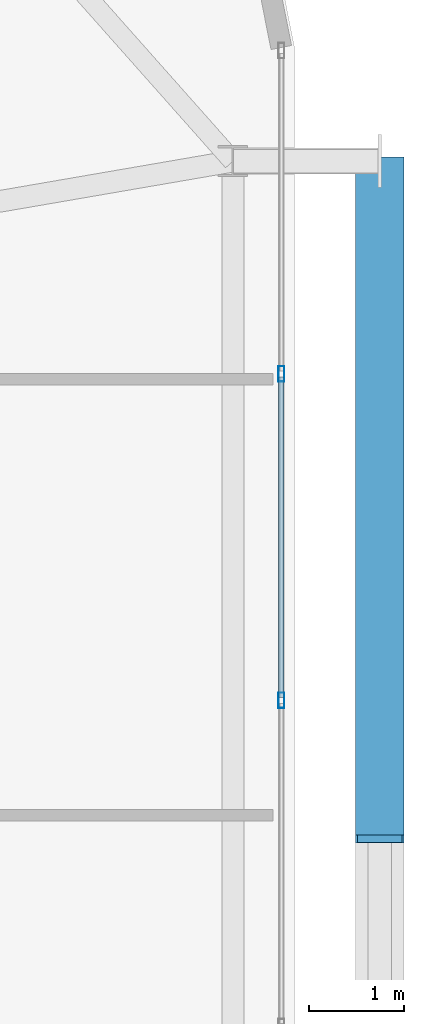
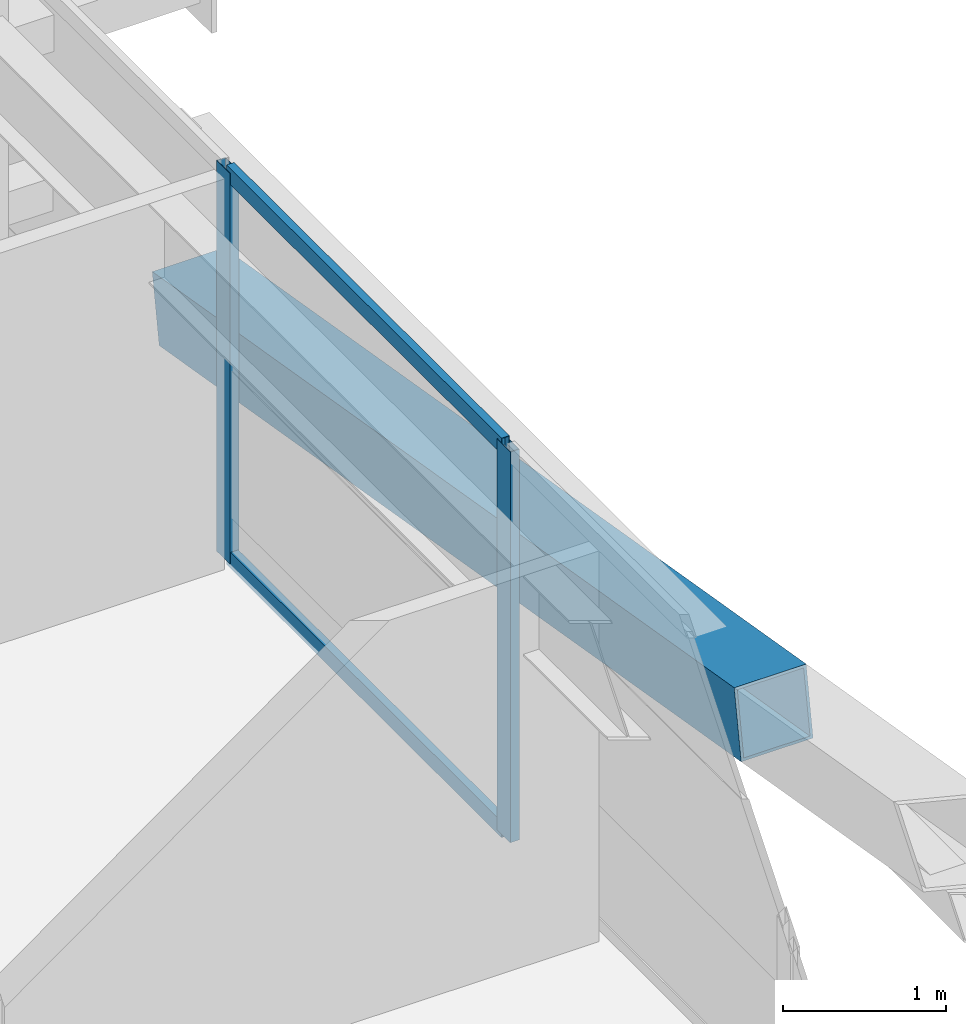
# One storey, part 32 of 58: 5 members, 1 element without a shape of its own.
"""IFC4 building model written with IfcOpenShell, lengths in metres."""

import ifcopenshell
import ifcopenshell.guid

model = None  # the IFC model being written
_history = None  # IfcOwnerHistory: only IFC2X3 demands one
_inside = {}  # id of a spatial element -> (the spatial element, [elements in it])
_under = {}  # id of a project, library or spatial element -> (it, [spatial elements below it])
_declared = {}  # id of a project -> (the project, [libraries it declares])
_typed = {}  # id of a type object -> (the type object, [elements of that type])
_made_of = {}  # id of a material, layer set ... -> (it, [elements and type objects made of it])


def new_model(schema):
    """Start an empty IFC model of exactly this schema.

    Asked for "IFC4X3", IfcOpenShell would pick the latest addendum, in which some entities
    have other attributes; the version numbers below select the first issue.
    IFC2X3 requires an IfcOwnerHistory on every rooted entity: one is made here for all.
    """
    global model, _history
    if schema == "IFC4X3":
        model = ifcopenshell.file(schema_version=(4, 3, 0, 0))
    else:
        model = ifcopenshell.file(schema=schema)
    _inside.clear()
    _under.clear()
    _declared.clear()
    _typed.clear()
    _made_of.clear()
    _history = None
    if model.schema == "IFC2X3":
        org = make("IfcOrganization", Name="unknown")
        user = make(
            "IfcPersonAndOrganization",
            ThePerson=make("IfcPerson", FamilyName="unknown"),
            TheOrganization=org,
        )
        app = make(
            "IfcApplication",
            ApplicationDeveloper=org,
            Version="unknown",
            ApplicationFullName="unknown",
            ApplicationIdentifier="unknown",
        )
        _history = make(
            "IfcOwnerHistory",
            OwningUser=user,
            OwningApplication=app,
            ChangeAction="ADDED",
            CreationDate=0,
        )
    return model


def make(cls, **values):
    """One entity of the class cls with the attributes given. An attribute that is None is left unset."""
    return model.create_entity(
        cls, **{name: value for name, value in values.items() if value is not None}
    )


def rooted(cls, **values):
    """An entity with a GlobalId (a new one), such as an element, a storey or a relation."""
    return make(cls, GlobalId=ifcopenshell.guid.new(), OwnerHistory=_history, **values)


def si_unit(unit_type, name, prefix=None):
    """IfcSIUnit, for example si_unit("LENGTHUNIT", "METRE", prefix="MILLI")."""
    return make("IfcSIUnit", UnitType=unit_type, Prefix=prefix, Name=name)


def assignment(units):
    """IfcUnitAssignment: the units of a project."""
    return None if units is None else make("IfcUnitAssignment", Units=units)


def point(xyz):
    """IfcCartesianPoint."""
    return None if xyz is None else make("IfcCartesianPoint", Coordinates=xyz)


def direction(xyz):
    """IfcDirection."""
    return None if xyz is None else make("IfcDirection", DirectionRatios=xyz)


def frame(location, z_axis=None, x_axis=None):
    """IfcAxis2Placement3D, a coordinate frame: its origin and axes. An axis left out is left unset."""
    return make(
        "IfcAxis2Placement3D",
        Location=point(location),
        Axis=direction(z_axis),
        RefDirection=direction(x_axis),
    )


def frame_2d(location, x_axis=None):
    """IfcAxis2Placement2D, a coordinate frame in the plane: its origin and x axis."""
    return make(
        "IfcAxis2Placement2D", Location=point(location), RefDirection=direction(x_axis)
    )


def origin():
    """The frame at (0, 0, 0) with its axes left unset."""
    return frame((0.0, 0.0, 0.0))


def origin_2d():
    """The frame at (0, 0) in the plane with its x axis left unset."""
    return frame_2d((0.0, 0.0))


def place(relative_to, where):
    """IfcLocalPlacement: puts the frame where relative to a parent placement (None: the world)."""
    return make(
        "IfcLocalPlacement", PlacementRelTo=relative_to, RelativePlacement=where
    )


def context(
    kind, dimensions, precision=None, world=None, true_north=None, identifier=None
):
    """IfcGeometricRepresentationContext, for example the 3D "Model" context."""
    return make(
        "IfcGeometricRepresentationContext",
        ContextIdentifier=identifier,
        ContextType=kind,
        CoordinateSpaceDimension=dimensions,
        Precision=precision,
        WorldCoordinateSystem=world,
        TrueNorth=true_north,
    )


def subcontext(parent, identifier, kind, view, scale=None):
    """IfcGeometricRepresentationSubContext, for example "Body" below "Model"."""
    return make(
        "IfcGeometricRepresentationSubContext",
        ContextIdentifier=identifier,
        ContextType=kind,
        ParentContext=parent,
        TargetScale=scale,
        TargetView=view,
    )


def project(units=None, contexts=None):
    """IfcProject with its units and contexts."""
    return rooted(
        "IfcProject",
        Name="project",
        RepresentationContexts=contexts,
        UnitsInContext=assignment(units),
    )


def spatial(cls, under=None, at=None, **own):
    """A site, building, storey or space (cls), placed at a placement, below another one or the project."""
    s = rooted(cls, ObjectPlacement=at, **own)
    if under is not None:
        _under.setdefault(under.id(), (under, []))[1].append(s)
    return s


def profile(cls, at=None, kind="AREA", **sizes):
    """A parametric profile (cls). Its sizes go by their IFC names, for example OverallWidth=200.0."""
    return make(cls, ProfileType=kind, Position=at, **sizes)


def hollow_rectangle(**sizes):
    """IfcRectangleHollowProfileDef."""
    return profile("IfcRectangleHollowProfileDef", **sizes)


def extrude(swept, where, along, depth):
    """IfcExtrudedAreaSolid: the profile swept, set in the frame where, extruded along a direction by depth."""
    return make(
        "IfcExtrudedAreaSolid",
        SweptArea=swept,
        Position=where,
        ExtrudedDirection=direction(along),
        Depth=depth,
    )


def shape(context_of_items, identifier, shape_type, items):
    """IfcShapeRepresentation: the items that make up one representation, for example the "Body"."""
    return make(
        "IfcShapeRepresentation",
        ContextOfItems=context_of_items,
        RepresentationIdentifier=identifier,
        RepresentationType=shape_type,
        Items=items,
    )


def source(mapping_origin, context_of_items, identifier, shape_type, items):
    """IfcRepresentationMap: a shape defined once, which mapped items show again and again."""
    return make(
        "IfcRepresentationMap",
        MappingOrigin=mapping_origin,
        MappedRepresentation=shape(context_of_items, identifier, shape_type, items),
    )


def transform(
    local_origin,
    x_axis=None,
    y_axis=None,
    z_axis=None,
    scale=None,
    scale2=None,
    scale3=None,
    uniform=True,
):
    """IfcCartesianTransformationOperator3D, or its non-uniform kind. x_axis, y_axis, z_axis: its Axis1, 2, 3."""
    if uniform:
        return make(
            "IfcCartesianTransformationOperator3D",
            Axis1=direction(x_axis),
            Axis2=direction(y_axis),
            LocalOrigin=point(local_origin),
            Scale=scale,
            Axis3=direction(z_axis),
        )
    return make(
        "IfcCartesianTransformationOperator3DnonUniform",
        Axis1=direction(x_axis),
        Axis2=direction(y_axis),
        LocalOrigin=point(local_origin),
        Scale=scale,
        Axis3=direction(z_axis),
        Scale2=scale2,
        Scale3=scale3,
    )


def mapped(mapping_source, mapping_target):
    """IfcMappedItem: shows the shape of a source again, moved by a transform."""
    return make(
        "IfcMappedItem", MappingSource=mapping_source, MappingTarget=mapping_target
    )


def material(Name=None, Category=None):
    """IfcMaterial."""
    return make("IfcMaterial", Name=Name, Category=Category)


def layer(
    of_material, thickness, ventilated=None, Name=None, Category=None, Priority=None
):
    """IfcMaterialLayer: one layer of a wall or slab, of a material (None: an air gap)."""
    return make(
        "IfcMaterialLayer",
        Material=of_material,
        LayerThickness=thickness,
        IsVentilated=ventilated,
        Name=Name,
        Category=Category,
        Priority=Priority,
    )


def layer_set(layers, Name=None):
    """IfcMaterialLayerSet."""
    return make("IfcMaterialLayerSet", MaterialLayers=layers, LayerSetName=Name)


def material_profile(
    of_material, cross_section, Name=None, Category=None, Priority=None
):
    """IfcMaterialProfile: a cross section and its material."""
    return make(
        "IfcMaterialProfile",
        Name=Name,
        Material=of_material,
        Profile=cross_section,
        Priority=Priority,
        Category=Category,
    )


def profile_set(profiles, Name=None, composite=None):
    """IfcMaterialProfileSet."""
    return make(
        "IfcMaterialProfileSet",
        Name=Name,
        MaterialProfiles=profiles,
        CompositeProfile=composite,
    )


def made_of(thing, what):
    """Note that an element or type object is made of a material, layer set ...; save() writes the relation."""
    if what is not None:
        _made_of.setdefault(what.id(), (what, []))[1].append(thing)
    return thing


def type_object(cls, material=None, **own):
    """A type object (cls), such as IfcWallType, which elements share."""
    return made_of(rooted(cls, **own), material)


def element(
    cls,
    number,
    at=None,
    inside=None,
    cuts=None,
    type_object=None,
    material=None,
    context=None,
    identifier="Body",
    shape_type=None,
    held_by="IfcProductDefinitionShape",
    body=None,
    shapes=None,
    **own,
):
    """One element of the class cls, such as IfcWall. Its Tag is "e" and its number.

    at: its placement. inside: the storey or other place that contains it. cuts: it is an
    opening in that element (IfcRelVoidsElement). A single representation is given by context,
    identifier, shape_type and body (its items); several are given by shapes. held_by: the class
    of the entity that holds the representations. save() writes the other relations.
    """
    e = rooted(cls, Tag="e%d" % number, ObjectPlacement=at, **own)
    if body is not None:
        shapes = [shape(context, identifier, shape_type, body)]
    if shapes is not None:
        e.Representation = make(held_by, Representations=shapes)
    if inside is not None:
        _inside.setdefault(inside.id(), (inside, []))[1].append(e)
    if cuts is not None:
        rooted(
            "IfcRelVoidsElement", RelatingBuildingElement=cuts, RelatedOpeningElement=e
        )
    if type_object is not None:
        _typed.setdefault(type_object.id(), (type_object, []))[1].append(e)
    return made_of(e, material)


def aggregate(whole, parts):
    """IfcRelAggregates: a whole, such as a stair, and the parts it consists of."""
    return rooted("IfcRelAggregates", RelatingObject=whole, RelatedObjects=parts)


def save(model, path):
    """Write the relations noted so far, then the file.

    IfcRelAggregates (storeys below a building ...), IfcRelContainedInSpatialStructure (elements
    in a storey), IfcRelDefinesByType, IfcRelAssociatesMaterial and IfcRelDeclares: one each for
    every whole, place, type object, material and project.
    """
    for whole, parts in _under.values():
        aggregate(whole, parts)
    for where, things in _inside.values():
        rooted(
            "IfcRelContainedInSpatialStructure",
            RelatedElements=things,
            RelatingStructure=where,
        )
    for kind, things in _typed.values():
        rooted("IfcRelDefinesByType", RelatedObjects=things, RelatingType=kind)
    for what, things in _made_of.values():
        rooted("IfcRelAssociatesMaterial", RelatedObjects=things, RelatingMaterial=what)
    for by, libraries in _declared.values():
        rooted("IfcRelDeclares", RelatingContext=by, RelatedDefinitions=libraries)
    model.write(path)


model = new_model("IFC4")

# Units and contexts
model_context = context("Model", 3, precision=1e-05, world=origin(), true_north=direction((0.0, 1.0)))
body_context = subcontext(model_context, "Body", "Model", "MODEL_VIEW")
ifc_project = project(units=[si_unit("LENGTHUNIT", "METRE"), si_unit("AREAUNIT", "SQUARE_METRE"), si_unit("VOLUMEUNIT", "CUBIC_METRE"), si_unit("PLANEANGLEUNIT", "RADIAN"), si_unit("MASSUNIT", "GRAM", prefix="KILO")], contexts=[model_context])

# Site, building, storey
site_placement = place(None, origin())
site = spatial("IfcSite", under=ifc_project, at=site_placement, CompositionType="ELEMENT")
building_placement = place(site_placement, origin())
building = spatial("IfcBuilding", under=site, at=building_placement, Name="Taldren Reach Tower", CompositionType="ELEMENT")
storey_placement = place(building_placement, frame((0.0, 0.0, 54.60009765625)))
storey = spatial("IfcBuildingStorey", under=building, at=storey_placement, Name="L16", CompositionType="ELEMENT", Elevation=54.60009765625)

# Member
ifc_material_1 = material(Name="Steel Gr 450 (C450L0)", Category="steel")
ifc_material_profile_1 = material_profile(ifc_material_1, hollow_rectangle(XDim=0.510009765625, YDim=0.510009765625, WallThickness=0.02001953125, at=origin_2d()), Name="510x510x20.0SHS")
ifc_profile_set_1 = profile_set([ifc_material_profile_1], Name="Steel Gr 450 (C450L0)")
member_type_1 = type_object("IfcMemberType", Name="MB-EXO508", PredefinedType="BRACE", material=ifc_profile_set_1)
shared_shape_1 = source(origin(), body_context, "Body", "SweptSolid", [
    extrude(hollow_rectangle(XDim=0.510009765625, YDim=0.510009765625, WallThickness=0.02001953125, at=origin_2d()), origin(), (0.0, 0.0, 1.0), 7.252685546875),
])
member_1_placement = place(storey_placement, frame((65.89990234375, 34.300048828125, 0.219970703125), z_axis=(0.0, -0.985871360071, 0.167504213054), x_axis=(1.0, 0.0, 0.0)))
element("IfcMember", 1, at=member_1_placement, inside=storey, type_object=member_type_1, Name="Exoskeleton Diagrid Brace B1-E2 L16", PredefinedType="BRACE", context=body_context, shape_type="MappedRepresentation", body=[
    mapped(shared_shape_1, transform((0.0, 0.0, 0.0), scale=1.0)),
])

# Curtain wall, members
ifc_material_2 = material(Name="Aluminium and Low-E Glass Unitised System", Category="aluminium")
ifc_layer = layer(ifc_material_2, 0.159912109375)
ifc_layer_set = layer_set([ifc_layer], Name="Aluminium and Low-E Glass Unitised System")
curtain_wall_type = type_object("IfcCurtainWallType", Name="CW-SYS-2", PredefinedType="NOTDEFINED", material=ifc_layer_set)
curtain_wall_placement = place(storey_placement, origin())
curtain_wall = element("IfcCurtainWall", 2, at=curtain_wall_placement, inside=storey, type_object=curtain_wall_type, Name="Unitised curtain wall CW-L16-E", PredefinedType="NOTDEFINED")
ifc_material_3 = material(Name="Anodised Aluminium 6063-T6", Category="aluminium")
ifc_material_profile_2 = material_profile(ifc_material_3, hollow_rectangle(XDim=0.06494140625, YDim=0.1650390625, WallThickness=0.00390625, at=origin_2d()), Name="ALU-165x65x4RHS")
ifc_profile_set_2 = profile_set([ifc_material_profile_2], Name="Anodised Aluminium 6063-T6")
member_type_2 = type_object("IfcMemberType", Name="CW-MUL-165", PredefinedType="MULLION", material=ifc_profile_set_2)
shared_shape_2 = source(origin(), body_context, "Body", "SweptSolid", [
    extrude(hollow_rectangle(XDim=0.06494140625, YDim=0.1650390625, WallThickness=0.00390625, at=origin_2d()), origin(), (0.0, 0.0, 1.0), 2.929931640625),
])
member_2_placement = place(storey_placement, frame((64.860107421875, 28.611083984375, 0.0), z_axis=(0.0, 0.0, 1.0), x_axis=(-1.0, 0.0, 0.0)))
member_2 = element("IfcMember", 3, at=member_2_placement, type_object=member_type_2, Name="CW-2 mullion 8", PredefinedType="MULLION", context=body_context, shape_type="MappedRepresentation", body=[
    mapped(shared_shape_2, transform((0.0, 0.0, 0.0), scale=1.0)),
])
member_3_placement = place(storey_placement, frame((64.860107421875, 32.0556640625, 0.0), z_axis=(0.0, 0.0, 1.0), x_axis=(-1.0, 0.0, 0.0)))
member_3 = element("IfcMember", 4, at=member_3_placement, type_object=member_type_2, Name="CW-2 mullion 9", PredefinedType="MULLION", context=body_context, shape_type="MappedRepresentation", body=[
    mapped(shared_shape_2, transform((0.0, 0.0, 0.0), scale=1.0)),
])
ifc_material_profile_3 = material_profile(ifc_material_3, hollow_rectangle(XDim=0.054931640625, YDim=0.1201171875, WallThickness=0.0029296875, at=origin_2d()), Name="ALU-120x55x3RHS")
ifc_profile_set_3 = profile_set([ifc_material_profile_3], Name="Anodised Aluminium 6063-T6")
member_type_3 = type_object("IfcMemberType", Name="CW-TRN-135", PredefinedType="USERDEFINED", material=ifc_profile_set_3)
shared_shape_3 = source(origin(), body_context, "Body", "SweptSolid", [
    extrude(hollow_rectangle(XDim=0.054931640625, YDim=0.1201171875, WallThickness=0.0029296875, at=origin_2d()), origin(), (0.0, 0.0, 1.0), 3.37939453125),
])
member_4_placement = place(storey_placement, frame((64.860107421875, 28.6435546875, 0.02734375), z_axis=(0.0, 1.0, 0.0), x_axis=(-1.0, 0.0, 0.0)))
member_4 = element("IfcMember", 5, at=member_4_placement, type_object=member_type_3, Name="CW-2 transom 8.1", ObjectType="TRANSOM", PredefinedType="USERDEFINED", context=body_context, shape_type="MappedRepresentation", body=[
    mapped(shared_shape_3, transform((0.0, 0.0, 0.0), scale=1.0)),
])
member_5_placement = place(storey_placement, frame((64.860107421875, 28.6435546875, 2.90234375), z_axis=(0.0, 1.0, 0.0), x_axis=(-1.0, 0.0, 0.0)))
member_5 = element("IfcMember", 6, at=member_5_placement, type_object=member_type_3, Name="CW-2 transom 8.2", ObjectType="TRANSOM", PredefinedType="USERDEFINED", context=body_context, shape_type="MappedRepresentation", body=[
    mapped(shared_shape_3, transform((0.0, 0.0, 0.0), scale=1.0)),
])
aggregate(curtain_wall, [member_2, member_3, member_4, member_5])

save(model, "model.ifc")
